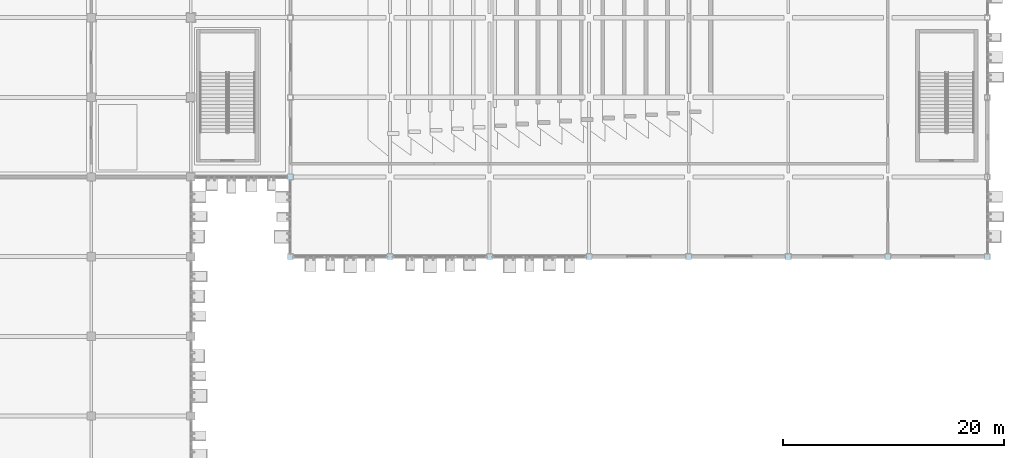
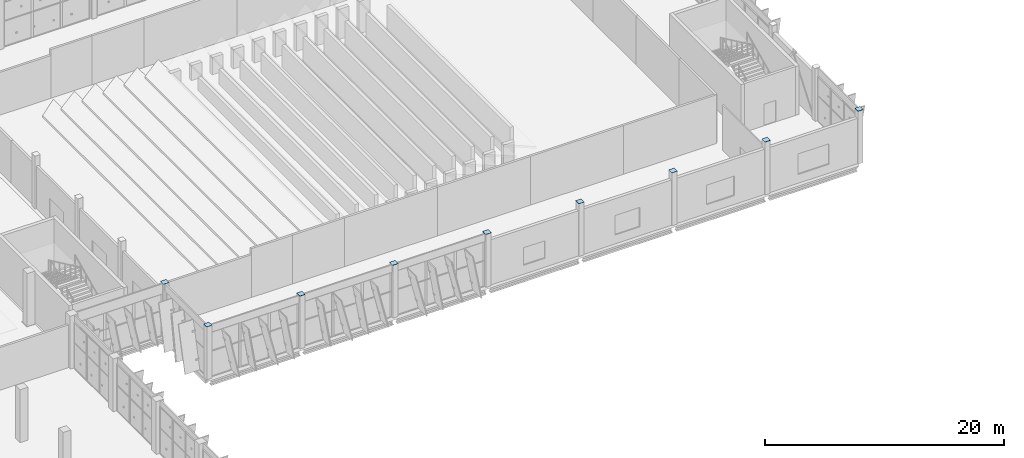
# One storey, part 127 of 189: 9 plates.
"""IFC4 building model written with IfcOpenShell, lengths in metres."""

from ifc_helpers import new_model, si_unit, direction, frame, origin, origin_2d, place, context, subcontext, project, spatial, rectangle, extrude, material, layer, layer_set, type_object, element, save


model = new_model("IFC4")

# Units and contexts
model_context = context("Model", 3, precision=1e-05, world=origin(), true_north=direction((0.0, 1.0)))
body_context = subcontext(model_context, "Body", "Model", "MODEL_VIEW")
ifc_project = project(units=[si_unit("LENGTHUNIT", "METRE"), si_unit("AREAUNIT", "SQUARE_METRE"), si_unit("VOLUMEUNIT", "CUBIC_METRE"), si_unit("PLANEANGLEUNIT", "RADIAN"), si_unit("MASSUNIT", "GRAM", prefix="KILO")], contexts=[model_context])

# Site, building, storey
site_placement = place(None, origin())
site = spatial("IfcSite", under=ifc_project, at=site_placement, CompositionType="ELEMENT")
building_placement = place(site_placement, origin())
building = spatial("IfcBuilding", under=site, at=building_placement, Name="Celestram Park Convention Centre", CompositionType="ELEMENT")
storey_placement = place(building_placement, frame((0.0, 0.0, 5.39990234375)))
storey = spatial("IfcBuildingStorey", under=building, at=storey_placement, Name="L01", CompositionType="ELEMENT", Elevation=5.39990234375)

# Plates
ifc_material = material(Name="Steel ASTM A572 Grade 50", Category="steel")
ifc_layer = layer(ifc_material, 0.02490234375)
ifc_layer_set = layer_set([ifc_layer], Name="Steel ASTM A572 Grade 50")
plate_type = type_object("IfcPlateType", Name="STR-PLT-EC500", PredefinedType="USERDEFINED", material=ifc_layer_set)
for number, where, z_axis, x_axis, name in (
    (1, (153.0, 115.199951171875, 5.399658203125), (0.0, 0.0, 1.0), (1.0, 0.0, 0.0), "HSS column end closure cap plate EC-L01-121"),
    (2, (153.0, 122.39990234375, 5.399658203125), (0.0, 0.0, 1.0), (1.0, 0.0, 0.0), "HSS column end closure cap plate EC-L01-123"),
    (3, (162.0, 115.199951171875, 5.399658203125), (0.0, 0.0, 1.0), (1.0, 0.0, 0.0), "HSS column end closure cap plate EC-L01-137"),
    (4, (171.0, 115.199951171875, 5.399658203125), (0.0, 0.0, 1.0), (1.0, 0.0, 0.0), "HSS column end closure cap plate EC-L01-141"),
    (5, (180.0, 115.199951171875, 5.399658203125), (0.0, 0.0, 1.0), (1.0, 0.0, 0.0), "HSS column end closure cap plate EC-L01-145"),
    (6, (189.0, 115.199951171875, 5.399658203125), (0.0, 0.0, 1.0), (1.0, 0.0, 0.0), "HSS column end closure cap plate EC-L01-149"),
    (7, (198.0, 115.199951171875, 5.399658203125), (0.0, 0.0, 1.0), (1.0, 0.0, 0.0), "HSS column end closure cap plate EC-L01-153"),
    (8, (207.0, 115.199951171875, 5.399658203125), (0.0, 0.0, 1.0), (1.0, 0.0, 0.0), "HSS column end closure cap plate EC-L01-157"),
    (9, (216.0, 115.199951171875, 5.399658203125), (0.0, 0.0, 1.0), (1.0, 0.0, 0.0), "HSS column end closure cap plate EC-L01-161"),
):
    element("IfcPlate", number, at=place(storey_placement, frame(where, z_axis=z_axis, x_axis=x_axis)), inside=storey, type_object=plate_type, Name=name, ObjectType="GUSSET_PLATE", PredefinedType="USERDEFINED", context=body_context, shape_type="SweptSolid", body=[
        extrude(rectangle(XDim=0.530029296875, YDim=0.530029296875, at=origin_2d()), origin(), (0.0, 0.0, 1.0), 0.02490234375),
    ])

save(model, "model.ifc")
